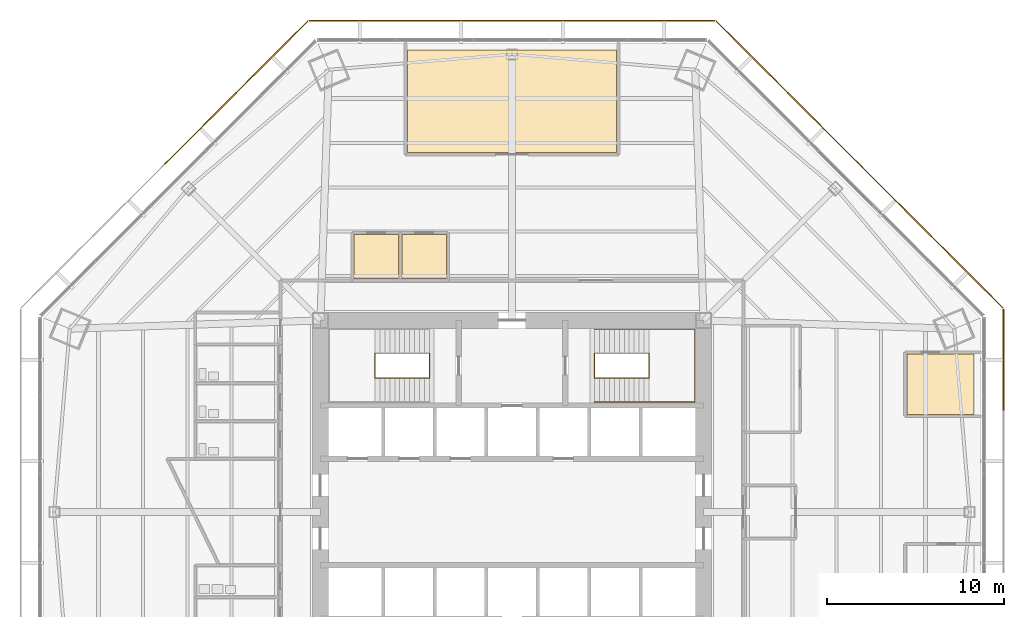
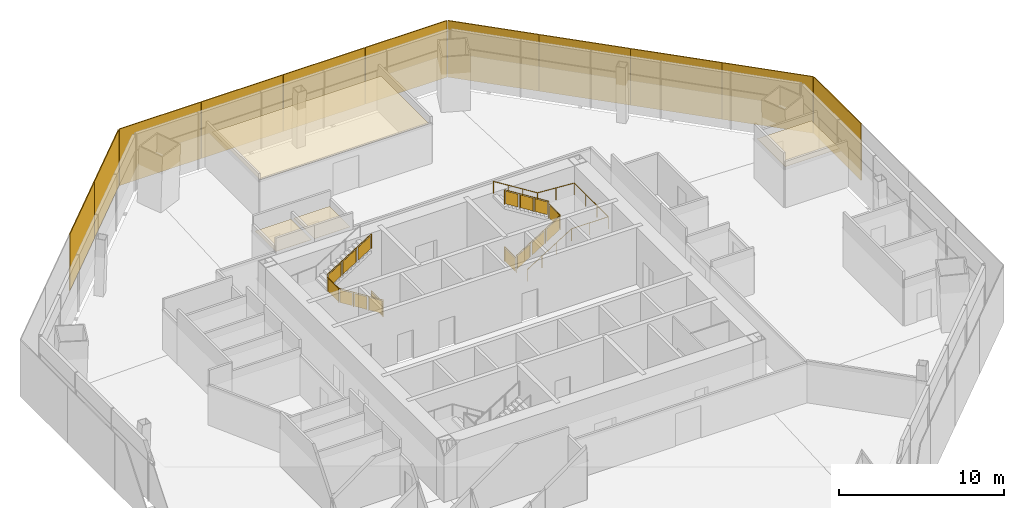
# One storey, part 12 of 13: 11 shading devices, 4 coverings, 3 railings.
"""IFC4 building model written with IfcOpenShell, lengths in metres."""

from ifc_helpers import new_model, si_unit, direction, frame, origin, origin_2d, place, context, subcontext, project, spatial, polyline, rectangle, circle, outline, extrude, source, transform, mapped, material, layer, layer_set, type_object, type_shapes, element, save


model = new_model("IFC4")

# Units and contexts
model_context = context("Model", 3, precision=1e-05, world=origin(), true_north=direction((0.0, 1.0)))
body_context = subcontext(model_context, "Body", "Model", "MODEL_VIEW")
ifc_project = project(units=[si_unit("LENGTHUNIT", "METRE"), si_unit("AREAUNIT", "SQUARE_METRE"), si_unit("VOLUMEUNIT", "CUBIC_METRE"), si_unit("PLANEANGLEUNIT", "RADIAN"), si_unit("MASSUNIT", "GRAM", prefix="KILO")], contexts=[model_context])

# Site, building, storey
site_placement = place(None, origin())
site = spatial("IfcSite", under=ifc_project, at=site_placement, CompositionType="ELEMENT")
building_placement = place(site_placement, origin())
building = spatial("IfcBuilding", under=site, at=building_placement, Name="Mashrafa Tower", CompositionType="ELEMENT")
storey_placement = place(building_placement, frame((0.0, 0.0, 49.800048828125)))
storey = spatial("IfcBuildingStorey", under=building, at=storey_placement, Name="L10", CompositionType="ELEMENT", Elevation=49.800048828125)

# Railings
ifc_material_1 = material(Name="Steel guard with glass infill", Category="steel")
railing_type_1 = type_object("IfcRailingType", Name="Stair guard 1100", PredefinedType="GUARDRAIL", material=ifc_material_1)
railing_1_placement = place(storey_placement, frame((-4.64990234375, 8.949951171875, 0.0)))
element("IfcRailing", 1, at=railing_1_placement, inside=storey, type_object=railing_type_1, Name="Stair S1 guard L10", PredefinedType="GUARDRAIL", context=body_context, shape_type="SweptSolid", body=[
    extrude(circle(Radius=0.02392578125, at=origin_2d()), frame((0.0, 0.0, 1.076171875), z_axis=(0.0, -1.0, 0.0), x_axis=(1.0, 0.0, 0.0)), (0.0, 0.0, 1.0), 1.39990234375),
    extrude(circle(Radius=0.02392578125, at=origin_2d()), frame((0.0, -1.39990234375, 1.076171875), z_axis=(0.0, 0.0, 1.0), x_axis=(1.0, 0.0, 0.0)), (0.0, 0.0, 1.0), 0.175048828125),
    extrude(circle(Radius=0.02392578125, at=origin_2d()), frame((0.0, -1.39990234375, 1.2509765625), z_axis=(-0.848028513186, 0.0, 0.529950602248), x_axis=(0.0, -1.0, 0.0)), (0.0, 0.0, 1.0), 3.632080078125),
    extrude(circle(Radius=0.02392578125, at=origin_2d()), frame((-3.080078125, -1.39990234375, 3.17578125), z_axis=(0.0, 1.0, 0.0), x_axis=(-1.0, 0.0, 0.0)), (0.0, 0.0, 1.0), 1.39990234375),
    extrude(circle(Radius=0.02392578125, at=origin_2d()), frame((-3.080078125, 0.0, 3.17578125), z_axis=(0.0, 0.0, 1.0), x_axis=(1.0, 0.0, 0.0)), (0.0, 0.0, 1.0), 0.175048828125),
    extrude(circle(Radius=0.02392578125, at=origin_2d()), frame((-3.080078125, 0.0, 3.35107421875), z_axis=(0.847998304005, 0.0, 0.529998940003), x_axis=(0.0, 1.0, 0.0)), (0.0, 0.0, 1.0), 3.632080078125),
    extrude(circle(Radius=0.02099609375, at=origin_2d()), origin(), (0.0, 0.0, 1.0), 1.052001953125),
    extrude(circle(Radius=0.02099609375, at=origin_2d()), frame((0.0, -1.39990234375, 0.0)), (0.0, 0.0, 1.0), 1.052001953125),
    extrude(circle(Radius=0.02099609375, at=origin_2d()), frame((0.0, -1.39990234375, 0.175048828125)), (0.0, 0.0, 1.0), 1.052001953125),
    extrude(circle(Radius=0.02099609375, at=origin_2d()), frame((-1.026611328125, -1.39990234375, 0.816650390625)), (0.0, 0.0, 1.0), 1.052001953125),
    extrude(circle(Radius=0.02099609375, at=origin_2d()), frame((-2.053466796875, -1.39990234375, 1.458251953125)), (0.0, 0.0, 1.0), 1.052001953125),
    extrude(circle(Radius=0.02099609375, at=origin_2d()), frame((-3.080078125, -1.39990234375, 2.099853515625)), (0.0, 0.0, 1.0), 1.052001953125),
    extrude(circle(Radius=0.02099609375, at=origin_2d()), frame((-3.080078125, 0.0, 2.099853515625)), (0.0, 0.0, 1.0), 1.052001953125),
    extrude(circle(Radius=0.02099609375, at=origin_2d()), frame((-3.080078125, 0.0, 2.27490234375)), (0.0, 0.0, 1.0), 1.052001953125),
    extrude(circle(Radius=0.02099609375, at=origin_2d()), frame((-2.053466796875, 0.0, 2.91650390625)), (0.0, 0.0, 1.0), 1.052001953125),
    extrude(circle(Radius=0.02099609375, at=origin_2d()), frame((-1.026611328125, 0.0, 3.558349609375)), (0.0, 0.0, 1.0), 1.052001953125),
    extrude(circle(Radius=0.02099609375, at=origin_2d()), frame((0.0, 0.0, 4.199951171875)), (0.0, 0.0, 1.0), 1.052001953125),
    extrude(outline(polyline([(0.071044921875, 0.050048828125), (1.328857421875, 0.050048828125), (1.328857421875, 1.001953125), (0.071044921875, 1.001953125), (0.071044921875, 0.050048828125)])), frame((-0.006103515625, 0.0, 0.0), z_axis=(-1.0, 0.0, 0.0), x_axis=(0.0, -1.0, 0.0)), (0.0, 0.0, 1.0), 0.011962890625),
    extrude(outline(polyline([(0.071044921875, 0.094482421875), (0.955810546875, 0.647216796875), (0.955810546875, 1.59912109375), (0.071044921875, 1.04638671875), (0.071044921875, 0.094482421875)])), frame((0.0, -1.393798828125, 0.175048828125), z_axis=(0.0, 1.0, 0.0), x_axis=(-1.0, 0.0, 0.0)), (0.0, 0.0, 1.0), 0.011962890625),
    extrude(outline(polyline([(1.09765625, 0.736083984375), (1.982421875, 1.288818359375), (1.982421875, 2.24072265625), (1.09765625, 1.68798828125), (1.09765625, 0.736083984375)])), frame((0.0, -1.393798828125, 0.175048828125), z_axis=(0.0, 1.0, 0.0), x_axis=(-1.0, 0.0, 0.0)), (0.0, 0.0, 1.0), 0.011962890625),
    extrude(outline(polyline([(2.124267578125, 1.377685546875), (3.009033203125, 1.930419921875), (3.009033203125, 2.88232421875), (2.124267578125, 2.32958984375), (2.124267578125, 1.377685546875)])), frame((0.0, -1.393798828125, 0.175048828125), z_axis=(0.0, 1.0, 0.0), x_axis=(-1.0, 0.0, 0.0)), (0.0, 0.0, 1.0), 0.011962890625),
    extrude(outline(polyline([(0.071044921875, 0.050048828125), (1.328857421875, 0.050048828125), (1.328857421875, 1.001953125), (0.071044921875, 1.001953125), (0.071044921875, 0.050048828125)])), frame((-3.073974609375, -1.39990234375, 2.099853515625), z_axis=(1.0, 0.0, 0.0), x_axis=(0.0, 1.0, 0.0)), (0.0, 0.0, 1.0), 0.011962890625),
    extrude(outline(polyline([(0.071044921875, 0.094482421875), (0.955810546875, 0.647216796875), (0.955810546875, 1.599365234375), (0.071044921875, 1.04638671875), (0.071044921875, 0.094482421875)])), frame((-3.080078125, -0.006103515625, 2.27490234375), z_axis=(0.0, -1.0, 0.0), x_axis=(1.0, 0.0, 0.0)), (0.0, 0.0, 1.0), 0.011962890625),
    extrude(outline(polyline([(1.09765625, 0.736083984375), (1.982421875, 1.2890625), (1.982421875, 2.240966796875), (1.09765625, 1.68798828125), (1.09765625, 0.736083984375)])), frame((-3.080078125, -0.006103515625, 2.27490234375), z_axis=(0.0, -1.0, 0.0), x_axis=(1.0, 0.0, 0.0)), (0.0, 0.0, 1.0), 0.011962890625),
    extrude(outline(polyline([(2.124267578125, 1.377685546875), (3.009033203125, 1.9306640625), (3.009033203125, 2.882568359375), (2.124267578125, 2.329833984375), (2.124267578125, 1.377685546875)])), frame((-3.080078125, -0.006103515625, 2.27490234375), z_axis=(0.0, -1.0, 0.0), x_axis=(1.0, 0.0, 0.0)), (0.0, 0.0, 1.0), 0.011962890625),
])
railing_2_placement = place(storey_placement, frame((4.64990234375, 8.949951171875, 0.0)))
element("IfcRailing", 2, at=railing_2_placement, inside=storey, type_object=railing_type_1, Name="Stair S2 guard L10", PredefinedType="GUARDRAIL", context=body_context, shape_type="SweptSolid", body=[
    extrude(circle(Radius=0.02392578125, at=origin_2d()), frame((0.0, 0.0, 1.076171875), z_axis=(0.0, -1.0, 0.0), x_axis=(1.0, 0.0, 0.0)), (0.0, 0.0, 1.0), 1.39990234375),
    extrude(circle(Radius=0.02392578125, at=origin_2d()), frame((0.0, -1.39990234375, 1.076171875), z_axis=(0.0, 0.0, 1.0), x_axis=(1.0, 0.0, 0.0)), (0.0, 0.0, 1.0), 0.175048828125),
    extrude(circle(Radius=0.02392578125, at=origin_2d()), frame((0.0, -1.39990234375, 1.2509765625), z_axis=(0.848028513186, 0.0, 0.529950602248), x_axis=(0.0, 1.0, 0.0)), (0.0, 0.0, 1.0), 3.632080078125),
    extrude(circle(Radius=0.02392578125, at=origin_2d()), frame((3.080078125, -1.39990234375, 3.17578125), z_axis=(0.0, 1.0, 0.0), x_axis=(-1.0, 0.0, 0.0)), (0.0, 0.0, 1.0), 1.39990234375),
    extrude(circle(Radius=0.02392578125, at=origin_2d()), frame((3.080078125, 0.0, 3.17578125), z_axis=(0.0, 0.0, 1.0), x_axis=(1.0, 0.0, 0.0)), (0.0, 0.0, 1.0), 0.175048828125),
    extrude(circle(Radius=0.02392578125, at=origin_2d()), frame((3.080078125, 0.0, 3.35107421875), z_axis=(-0.847998304005, 0.0, 0.529998940003), x_axis=(0.0, -1.0, 0.0)), (0.0, 0.0, 1.0), 3.632080078125),
    extrude(circle(Radius=0.02099609375, at=origin_2d()), origin(), (0.0, 0.0, 1.0), 1.052001953125),
    extrude(circle(Radius=0.02099609375, at=origin_2d()), frame((0.0, -1.39990234375, 0.0)), (0.0, 0.0, 1.0), 1.052001953125),
    extrude(circle(Radius=0.02099609375, at=origin_2d()), frame((0.0, -1.39990234375, 0.175048828125)), (0.0, 0.0, 1.0), 1.052001953125),
    extrude(circle(Radius=0.02099609375, at=origin_2d()), frame((1.026611328125, -1.39990234375, 0.816650390625)), (0.0, 0.0, 1.0), 1.052001953125),
    extrude(circle(Radius=0.02099609375, at=origin_2d()), frame((2.053466796875, -1.39990234375, 1.458251953125)), (0.0, 0.0, 1.0), 1.052001953125),
    extrude(circle(Radius=0.02099609375, at=origin_2d()), frame((3.080078125, -1.39990234375, 2.099853515625)), (0.0, 0.0, 1.0), 1.052001953125),
    extrude(circle(Radius=0.02099609375, at=origin_2d()), frame((3.080078125, 0.0, 2.099853515625)), (0.0, 0.0, 1.0), 1.052001953125),
    extrude(circle(Radius=0.02099609375, at=origin_2d()), frame((3.080078125, 0.0, 2.27490234375)), (0.0, 0.0, 1.0), 1.052001953125),
    extrude(circle(Radius=0.02099609375, at=origin_2d()), frame((2.053466796875, 0.0, 2.91650390625)), (0.0, 0.0, 1.0), 1.052001953125),
    extrude(circle(Radius=0.02099609375, at=origin_2d()), frame((1.026611328125, 0.0, 3.558349609375)), (0.0, 0.0, 1.0), 1.052001953125),
    extrude(circle(Radius=0.02099609375, at=origin_2d()), frame((0.0, 0.0, 4.199951171875)), (0.0, 0.0, 1.0), 1.052001953125),
    extrude(outline(polyline([(0.071044921875, 0.050048828125), (1.328857421875, 0.050048828125), (1.328857421875, 1.001953125), (0.071044921875, 1.001953125), (0.071044921875, 0.050048828125)])), frame((-0.006103515625, 0.0, 0.0), z_axis=(-1.0, 0.0, 0.0), x_axis=(0.0, -1.0, 0.0)), (0.0, 0.0, 1.0), 0.011962890625),
    extrude(outline(polyline([(0.071044921875, 0.094482421875), (0.955810546875, 0.647216796875), (0.955810546875, 1.59912109375), (0.071044921875, 1.04638671875), (0.071044921875, 0.094482421875)])), frame((0.0, -1.406005859375, 0.175048828125), z_axis=(0.0, -1.0, 0.0), x_axis=(1.0, 0.0, 0.0)), (0.0, 0.0, 1.0), 0.011962890625),
    extrude(outline(polyline([(1.09765625, 0.736083984375), (1.982421875, 1.288818359375), (1.982421875, 2.24072265625), (1.09765625, 1.68798828125), (1.09765625, 0.736083984375)])), frame((0.0, -1.406005859375, 0.175048828125), z_axis=(0.0, -1.0, 0.0), x_axis=(1.0, 0.0, 0.0)), (0.0, 0.0, 1.0), 0.011962890625),
    extrude(outline(polyline([(2.124267578125, 1.377685546875), (3.009033203125, 1.930419921875), (3.009033203125, 2.88232421875), (2.124267578125, 2.32958984375), (2.124267578125, 1.377685546875)])), frame((0.0, -1.406005859375, 0.175048828125), z_axis=(0.0, -1.0, 0.0), x_axis=(1.0, 0.0, 0.0)), (0.0, 0.0, 1.0), 0.011962890625),
    extrude(outline(polyline([(0.071044921875, 0.050048828125), (1.328857421875, 0.050048828125), (1.328857421875, 1.001953125), (0.071044921875, 1.001953125), (0.071044921875, 0.050048828125)])), frame((3.086181640625, -1.39990234375, 2.099853515625), z_axis=(1.0, 0.0, 0.0), x_axis=(0.0, 1.0, 0.0)), (0.0, 0.0, 1.0), 0.011962890625),
    extrude(outline(polyline([(0.071044921875, 0.094482421875), (0.955810546875, 0.647216796875), (0.955810546875, 1.599365234375), (0.071044921875, 1.04638671875), (0.071044921875, 0.094482421875)])), frame((3.080078125, 0.006103515625, 2.27490234375), z_axis=(0.0, 1.0, 0.0), x_axis=(-1.0, 0.0, 0.0)), (0.0, 0.0, 1.0), 0.011962890625),
    extrude(outline(polyline([(1.09765625, 0.736083984375), (1.982421875, 1.2890625), (1.982421875, 2.240966796875), (1.09765625, 1.68798828125), (1.09765625, 0.736083984375)])), frame((3.080078125, 0.006103515625, 2.27490234375), z_axis=(0.0, 1.0, 0.0), x_axis=(-1.0, 0.0, 0.0)), (0.0, 0.0, 1.0), 0.011962890625),
    extrude(outline(polyline([(2.124267578125, 1.377685546875), (3.009033203125, 1.9306640625), (3.009033203125, 2.882568359375), (2.124267578125, 2.329833984375), (2.124267578125, 1.377685546875)])), frame((3.080078125, 0.006103515625, 2.27490234375), z_axis=(0.0, 1.0, 0.0), x_axis=(-1.0, 0.0, 0.0)), (0.0, 0.0, 1.0), 0.011962890625),
])
ifc_material_2 = material(Name="Steel", Category="steel")
railing_type_2 = type_object("IfcRailingType", Name="Stair handrail 900", PredefinedType="HANDRAIL", material=ifc_material_2)
railing_3_placement = place(storey_placement, frame((4.64990234375, 6.199951171875, 0.175048828125)))
element("IfcRailing", 3, at=railing_3_placement, inside=storey, type_object=railing_type_2, Name="Stair S2 handrail L10", PredefinedType="HANDRAIL", context=body_context, shape_type="SweptSolid", body=[
    extrude(circle(Radius=0.02392578125, at=origin_2d()), frame((0.0, 0.0, 0.8759765625), z_axis=(0.848028513186, 0.0, 0.529950602248), x_axis=(0.0, 1.0, 0.0)), (0.0, 0.0, 1.0), 3.632080078125),
    extrude(circle(Radius=0.02392578125, at=origin_2d()), frame((3.080078125, 0.0, 2.80078125), z_axis=(1.0, 0.0, 0.0), x_axis=(0.0, 1.0, 0.0)), (0.0, 0.0, 1.0), 2.570068359375),
    extrude(circle(Radius=0.02392578125, at=origin_2d()), frame((5.650146484375, 0.0, 2.80078125), z_axis=(0.0, 1.0, 0.0), x_axis=(-1.0, 0.0, 0.0)), (0.0, 0.0, 1.0), 4.10009765625),
    extrude(circle(Radius=0.02392578125, at=origin_2d()), frame((5.650146484375, 4.10009765625, 2.80078125), z_axis=(-0.997688514158, 0.0, 0.067953136188), x_axis=(0.0, -1.0, 0.0)), (0.0, 0.0, 1.0), 2.575927734375),
    extrude(circle(Radius=0.02392578125, at=origin_2d()), frame((3.080078125, 4.10009765625, 2.9755859375), z_axis=(-0.847998304005, 0.0, 0.529998940003), x_axis=(0.0, -1.0, 0.0)), (0.0, 0.0, 1.0), 3.632080078125),
    extrude(circle(Radius=0.02099609375, at=origin_2d()), origin(), (0.0, 0.0, 1.0), 0.851806640625),
    extrude(circle(Radius=0.02099609375, at=origin_2d()), frame((1.026611328125, 0.0, 0.6416015625)), (0.0, 0.0, 1.0), 0.851806640625),
    extrude(circle(Radius=0.02099609375, at=origin_2d()), frame((2.053466796875, 0.0, 1.283203125)), (0.0, 0.0, 1.0), 0.851806640625),
    extrude(circle(Radius=0.02099609375, at=origin_2d()), frame((3.080078125, 0.0, 1.9248046875)), (0.0, 0.0, 1.0), 0.851806640625),
    extrude(circle(Radius=0.02099609375, at=origin_2d()), frame((4.365234375, 0.0, 1.9248046875)), (0.0, 0.0, 1.0), 0.851806640625),
    extrude(circle(Radius=0.02099609375, at=origin_2d()), frame((5.650146484375, 0.0, 1.9248046875)), (0.0, 0.0, 1.0), 0.851806640625),
    extrude(circle(Radius=0.02099609375, at=origin_2d()), frame((5.650146484375, 1.36669921875, 1.9248046875)), (0.0, 0.0, 1.0), 0.851806640625),
    extrude(circle(Radius=0.02099609375, at=origin_2d()), frame((5.650146484375, 2.7333984375, 1.9248046875)), (0.0, 0.0, 1.0), 0.851806640625),
    extrude(circle(Radius=0.02099609375, at=origin_2d()), frame((5.650146484375, 4.10009765625, 1.9248046875)), (0.0, 0.0, 1.0), 0.851806640625),
    extrude(circle(Radius=0.02099609375, at=origin_2d()), frame((4.365234375, 4.10009765625, 2.01220703125)), (0.0, 0.0, 1.0), 0.851806640625),
    extrude(circle(Radius=0.02099609375, at=origin_2d()), frame((3.080078125, 4.10009765625, 2.099853515625)), (0.0, 0.0, 1.0), 0.851806640625),
    extrude(circle(Radius=0.02099609375, at=origin_2d()), frame((2.053466796875, 4.10009765625, 2.741455078125)), (0.0, 0.0, 1.0), 0.851806640625),
    extrude(circle(Radius=0.02099609375, at=origin_2d()), frame((1.026611328125, 4.10009765625, 3.38330078125)), (0.0, 0.0, 1.0), 0.851806640625),
    extrude(circle(Radius=0.02099609375, at=origin_2d()), frame((0.0, 4.10009765625, 4.02490234375)), (0.0, 0.0, 1.0), 0.851806640625),
])

# Coverings
ifc_material_3 = material(Name="Mineral fibre tile on suspension grid")
ifc_layer_1 = layer(ifc_material_3, 0.014892578125)
ifc_layer_set_1 = layer_set([ifc_layer_1], Name="Suspended ceiling mineral tile 15")
covering_type = type_object("IfcCoveringType", Name="Suspended ceiling mineral tile 15", PredefinedType="CEILING", material=ifc_layer_set_1)
covering_1_placement = place(storey_placement, frame((0.0, 0.0, 2.89990234375)))
element("IfcCovering", 4, at=covering_1_placement, inside=storey, type_object=covering_type, Name="Ceiling Meeting Room 10-3", PredefinedType="CEILING", context=body_context, shape_type="SweptSolid", body=[
    extrude(outline(polyline([(22.255859375, 8.89990234375), (26.055908203125, 8.89990234375), (26.055908203125, 5.5), (22.255859375, 5.5), (22.255859375, 8.89990234375)])), origin(), (0.0, 0.0, 1.0), 0.01513671875),
])
covering_2_placement = place(storey_placement, frame((0.0, 0.0, 2.849853515625)))
element("IfcCovering", 5, at=covering_2_placement, inside=storey, type_object=covering_type, Name="Ceiling Training Room 10", PredefinedType="CEILING", context=body_context, shape_type="SweptSolid", body=[
    extrude(outline(polyline([(-5.89990234375, 26.055908203125), (5.89990234375, 26.055908203125), (5.89990234375, 20.255859375), (-5.89990234375, 20.255859375), (-5.89990234375, 26.055908203125)])), origin(), (0.0, 0.0, 1.0), 0.01513671875),
])
covering_3_placement = place(storey_placement, frame((0.0, 0.0, 2.89990234375)))
element("IfcCovering", 6, at=covering_3_placement, inside=storey, type_object=covering_type, Name="Ceiling Quiet Room 10-1", PredefinedType="CEILING", context=body_context, shape_type="SweptSolid", body=[
    extrude(outline(polyline([(-6.199951171875, 15.64990234375), (-3.699951171875, 15.64990234375), (-3.699951171875, 13.14990234375), (-6.199951171875, 13.14990234375), (-6.199951171875, 15.64990234375)])), origin(), (0.0, 0.0, 1.0), 0.01513671875),
])
covering_4_placement = place(storey_placement, frame((0.0, 0.0, 2.89990234375)))
element("IfcCovering", 7, at=covering_4_placement, inside=storey, type_object=covering_type, Name="Ceiling Quiet Room 10-2", PredefinedType="CEILING", context=body_context, shape_type="SweptSolid", body=[
    extrude(outline(polyline([(-8.89990234375, 15.64990234375), (-6.39990234375, 15.64990234375), (-6.39990234375, 13.14990234375), (-8.89990234375, 13.14990234375), (-8.89990234375, 15.64990234375)])), origin(), (0.0, 0.0, 1.0), 0.01513671875),
])

# Shading devices
ifc_material_4 = material(Name="Perforated aluminium plate, eight-point star pattern", Category="aluminium")
ifc_layer_2 = layer(ifc_material_4, 0.06005859375)
ifc_layer_set_2 = layer_set([ifc_layer_2], Name="Mashrabiya screen panel office zone 1, 45 percent open")
shading_device_type = type_object("IfcShadingDeviceType", Name="Mashrabiya screen panel office zone 1, 45 percent open", PredefinedType="SHUTTER", material=ifc_layer_set_2)
shared_shape = source(origin(), body_context, "Body", "SweptSolid", [
    extrude(rectangle(XDim=5.706787109375, YDim=0.06005859375, at=origin_2d()), origin(), (0.0, 0.0, 1.0), 4.179931640625),
])
type_shapes(shading_device_type, [shared_shape])
for number, where, z_axis, x_axis, name in (
    (8, (27.7060546875, 8.59033203125, -0.14990234375), (0.0, 0.0, 1.0), (0.0, 1.0, 0.0), "Mashrabiya screen L10 east 4"),
    (9, (25.665283203125, 13.516845703125, -0.14990234375), (0.0, 0.0, 1.0), (-0.707106781187, 0.707106781187, 0.0), "Mashrabiya screen L10 north-east 1"),
    (10, (21.61572265625, 17.56640625, -0.14990234375), (0.0, 0.0, 1.0), (-0.707106781187, 0.707106781187, 0.0), "Mashrabiya screen L10 north-east 2"),
    (11, (17.56640625, 21.61572265625, -0.14990234375), (0.0, 0.0, 1.0), (-0.707106781187, 0.707106781187, 0.0), "Mashrabiya screen L10 north-east 3"),
    (12, (13.516845703125, 25.665283203125, -0.14990234375), (0.0, 0.0, 1.0), (-0.707106781187, 0.707106781187, 0.0), "Mashrabiya screen L10 north-east 4"),
    (13, (8.59033203125, 27.7060546875, -0.14990234375), (0.0, 0.0, 1.0), (-1.0, 0.0, 0.0), "Mashrabiya screen L10 north 1"),
    (14, (2.863525390625, 27.7060546875, -0.14990234375), (0.0, 0.0, 1.0), (-1.0, 0.0, 0.0), "Mashrabiya screen L10 north 2"),
    (15, (-2.863525390625, 27.7060546875, -0.14990234375), (0.0, 0.0, 1.0), (-1.0, 0.0, 0.0), "Mashrabiya screen L10 north 3"),
    (16, (-8.59033203125, 27.7060546875, -0.14990234375), (0.0, 0.0, 1.0), (-1.0, 0.0, 0.0), "Mashrabiya screen L10 north 4"),
    (17, (-13.516845703125, 25.665283203125, -0.14990234375), (0.0, 0.0, 1.0), (-0.707106781187, -0.707106781187, 0.0), "Mashrabiya screen L10 north-west 1"),
    (18, (-17.56640625, 21.61572265625, -0.14990234375), (0.0, 0.0, 1.0), (-0.707106781187, -0.707106781187, 0.0), "Mashrabiya screen L10 north-west 2"),
):
    element("IfcShadingDevice", number, at=place(storey_placement, frame(where, z_axis=z_axis, x_axis=x_axis)), inside=storey, type_object=shading_device_type, Name=name, PredefinedType="SHUTTER", context=body_context, shape_type="MappedRepresentation", body=[
        mapped(shared_shape, transform((0.0, 0.0, 0.0))),
    ])

save(model, "model.ifc")
